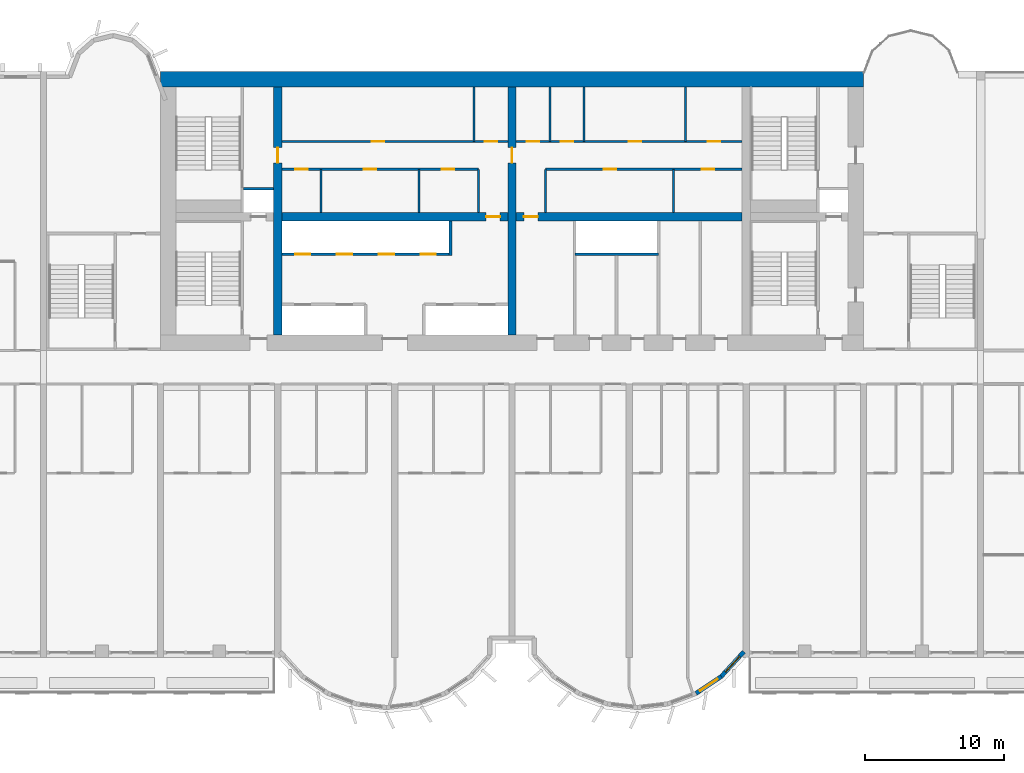
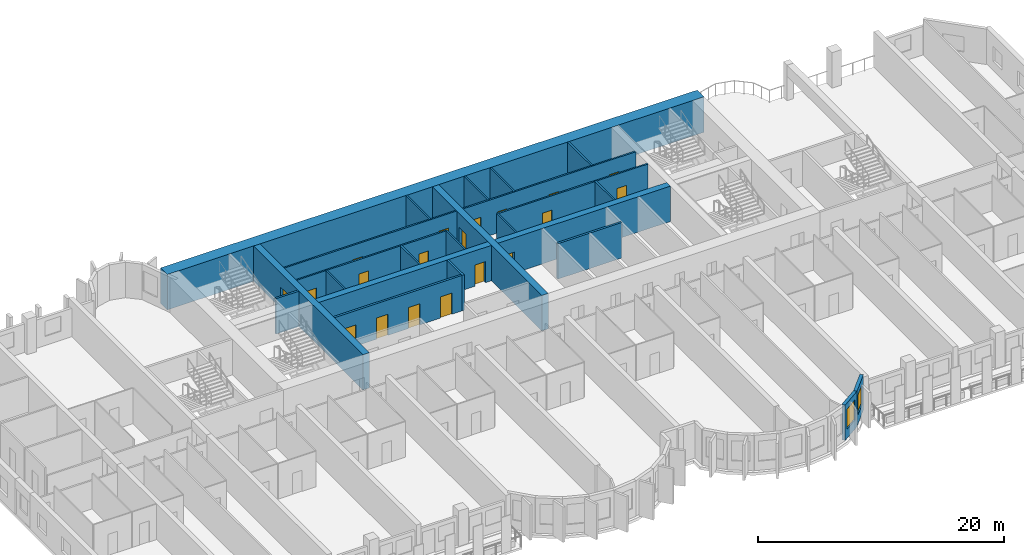
# One storey, part 7 of 14: 24 walls, 19 doors, 2 windows, 21 openings.
"""IFC4 building model written with IfcOpenShell, lengths in metres."""

from ifc_helpers import new_model, si_unit, direction, frame, frame_2d, origin, place, context, subcontext, project, spatial, rectangle, extrude, source, transform, mapped, material, layer, layer_set, type_object, element, fill, save


model = new_model("IFC4")

# Units and contexts
model_context = context("Model", 3, precision=1e-05, world=origin(), true_north=direction((0.0, 1.0)))
body_context = subcontext(model_context, "Body", "Model", "MODEL_VIEW")
ifc_project = project(units=[si_unit("LENGTHUNIT", "METRE"), si_unit("AREAUNIT", "SQUARE_METRE"), si_unit("VOLUMEUNIT", "CUBIC_METRE"), si_unit("PLANEANGLEUNIT", "RADIAN"), si_unit("MASSUNIT", "GRAM", prefix="KILO")], contexts=[model_context])

# Site, building, storey
site_placement = place(None, origin())
site = spatial("IfcSite", under=ifc_project, at=site_placement, CompositionType="ELEMENT")
building_placement = place(site_placement, origin())
building = spatial("IfcBuilding", under=site, at=building_placement, Name="Vanashikhar Sky Hotel", CompositionType="ELEMENT")
storey_placement = place(building_placement, frame((0.0, 0.0, 43.0)))
storey = spatial("IfcBuildingStorey", under=building, at=storey_placement, Name="L09", CompositionType="ELEMENT", Elevation=43.0)

# Wall
ifc_material_1 = material(Name="Concrete M80", Category="concrete")
ifc_layer_1 = layer(ifc_material_1, 1.10009765625)
ifc_layer_set_1 = layer_set([ifc_layer_1], Name="RC core shell wall 1100 Concrete M80")
wall_type_1 = type_object("IfcWallType", Name="RC core shell wall 1100 Concrete M80", PredefinedType="SHEAR", material=ifc_layer_set_1)
shared_shape_1 = source(origin(), body_context, "Body", "SweptSolid", [
    extrude(rectangle(XDim=50.400146484375, YDim=1.10009765625, at=frame_2d((25.2001953125, 0.0))), origin(), (0.0, 0.0, 1.0), 3.52001953125),
])
wall_1_placement = place(storey_placement, frame((25.199951171875, 41.449951171875, 0.0), z_axis=(0.0, 0.0, 1.0), x_axis=(1.0, 0.0, 0.0)))
element("IfcWall", 1, at=wall_1_placement, inside=storey, type_object=wall_type_1, Name="KW-L09-KN", PredefinedType="SHEAR", context=body_context, shape_type="MappedRepresentation", body=[
    mapped(shared_shape_1, transform((0.0, 0.0, 0.0), scale=1.0)),
])

# Wall, opening, door
ifc_layer_2 = layer(ifc_material_1, 0.60009765625)
ifc_layer_set_2 = layer_set([ifc_layer_2], Name="RC core inner wall 600 Concrete M80")
wall_type_2 = type_object("IfcWallType", Name="RC core inner wall 600 Concrete M80", PredefinedType="SHEAR", material=ifc_layer_set_2)
shared_shape_2 = source(origin(), body_context, "Body", "SweptSolid", [
    extrude(rectangle(XDim=17.7998046875, YDim=0.60009765625, at=frame_2d((8.89990234375, 0.0))), origin(), (0.0, 0.0, 1.0), 3.52001953125),
])
wall_2_placement = place(storey_placement, frame((33.60009765625, 23.10009765625, 0.0), z_axis=(0.0, 0.0, 1.0), x_axis=(0.0, 1.0, 0.0)))
wall_2 = element("IfcWall", 2, at=wall_2_placement, inside=storey, type_object=wall_type_2, Name="KW-L09-KX1", PredefinedType="SHEAR", context=body_context, shape_type="MappedRepresentation", body=[
    mapped(shared_shape_2, transform((0.0, 0.0, 0.0), scale=1.0)),
])
shared_shape_3 = source(origin(), body_context, "Body", "SweptSolid", [
    extrude(rectangle(XDim=1.10009765625, YDim=2.10009765625, at=frame_2d((0.550048828125, 1.050048828125))), frame((0.0, 0.31005859375, 0.0), z_axis=(0.0, -1.0, 0.0), x_axis=(1.0, 0.0, 0.0)), (0.0, 0.0, 1.0), 0.6201171875),
])
opening_1_placement = place(wall_2_placement, frame((12.35009765625, 0.0, 0.0)))
opening_1 = element("IfcOpeningElement", 3, at=opening_1_placement, cuts=wall_2, Name="Opening DC-4-C", PredefinedType="OPENING", context=body_context, shape_type="MappedRepresentation", body=[
    mapped(shared_shape_3, transform((0.0, 0.0, 0.0), scale=1.0)),
])
ifc_material_2 = material(Name="Steel", Category="steel")
door_type_1 = type_object("IfcDoorType", Name="Service door 1100 FD60", OperationType="NOTDEFINED", PredefinedType="DOOR", material=ifc_material_2)
shared_shape_4 = source(origin(), body_context, "Body", "SweptSolid", [
    extrude(rectangle(XDim=1.10009765625, YDim=2.10009765625, at=frame_2d((0.550048828125, 1.050048828125))), frame((0.0, 0.02490234375, 0.0), z_axis=(0.0, -1.0, 0.0), x_axis=(1.0, 0.0, 0.0)), (0.0, 0.0, 1.0), 0.050048828125),
])
door_1_placement = place(opening_1_placement, origin())
door_1 = element("IfcDoor", 4, at=door_1_placement, inside=storey, type_object=door_type_1, Name="Service door 1100 FD60", OperationType="SINGLE_SWING_RIGHT", OverallHeight=2.10009765625, OverallWidth=1.10009765625, PredefinedType="DOOR", context=body_context, shape_type="MappedRepresentation", body=[
    mapped(shared_shape_4, transform((0.0, 0.0, 0.0), scale=1.0)),
])
fill(opening_1, door_1)

wall_3_placement = place(storey_placement, frame((50.39990234375, 23.10009765625, 0.0), z_axis=(0.0, 0.0, 1.0), x_axis=(0.0, 1.0, 0.0)))
wall_3 = element("IfcWall", 5, at=wall_3_placement, inside=storey, type_object=wall_type_2, Name="KW-L09-KX2", PredefinedType="SHEAR", context=body_context, shape_type="MappedRepresentation", body=[
    mapped(shared_shape_2, transform((0.0, 0.0, 0.0), scale=1.0)),
])
opening_2_placement = place(wall_3_placement, frame((12.35009765625, 0.0, 0.0)))
opening_2 = element("IfcOpeningElement", 6, at=opening_2_placement, cuts=wall_3, Name="Opening DC-4-C", PredefinedType="OPENING", context=body_context, shape_type="MappedRepresentation", body=[
    mapped(shared_shape_3, transform((0.0, 0.0, 0.0), scale=1.0)),
])
door_2_placement = place(opening_2_placement, origin())
door_2 = element("IfcDoor", 7, at=door_2_placement, inside=storey, type_object=door_type_1, Name="Service door 1100 FD60", OperationType="SINGLE_SWING_LEFT", OverallHeight=2.10009765625, OverallWidth=1.10009765625, PredefinedType="DOOR", context=body_context, shape_type="MappedRepresentation", body=[
    mapped(shared_shape_4, transform((0.0, 0.0, 0.0), scale=1.0)),
])
fill(opening_2, door_2)

shared_shape_5 = source(origin(), body_context, "Body", "SweptSolid", [
    extrude(rectangle(XDim=16.2001953125, YDim=0.60009765625, at=frame_2d((8.10009765625, 0.0))), origin(), (0.0, 0.0, 1.0), 3.52001953125),
])
wall_4_placement = place(storey_placement, frame((33.89990234375, 31.60009765625, 0.0), z_axis=(0.0, 0.0, 1.0), x_axis=(1.0, 0.0, 0.0)))
wall_4 = element("IfcWall", 8, at=wall_4_placement, inside=storey, type_object=wall_type_2, Name="KW-L09-KY2", PredefinedType="SHEAR", context=body_context, shape_type="MappedRepresentation", body=[
    mapped(shared_shape_5, transform((0.0, 0.0, 0.0), scale=1.0)),
])
shared_shape_6 = source(origin(), body_context, "Body", "SweptSolid", [
    extrude(rectangle(XDim=1.0, YDim=2.10009765625, at=frame_2d((0.5, 1.050048828125))), frame((0.0, 0.31005859375, 0.0), z_axis=(0.0, -1.0, 0.0), x_axis=(1.0, 0.0, 0.0)), (0.0, 0.0, 1.0), 0.6201171875),
])
opening_3_placement = place(wall_4_placement, frame((14.64990234375, 0.0, 0.0)))
opening_3 = element("IfcOpeningElement", 9, at=opening_3_placement, cuts=wall_4, Name="Opening DC-4", PredefinedType="OPENING", context=body_context, shape_type="MappedRepresentation", body=[
    mapped(shared_shape_6, transform((0.0, 0.0, 0.0), scale=1.0)),
])
door_type_2 = type_object("IfcDoorType", Name="Service door 1000 FD60", OperationType="NOTDEFINED", PredefinedType="DOOR", material=ifc_material_2)
shared_shape_7 = source(origin(), body_context, "Body", "SweptSolid", [
    extrude(rectangle(XDim=1.0, YDim=2.10009765625, at=frame_2d((0.5, 1.050048828125))), frame((0.0, 0.02490234375, 0.0), z_axis=(0.0, -1.0, 0.0), x_axis=(1.0, 0.0, 0.0)), (0.0, 0.0, 1.0), 0.050048828125),
])
door_3_placement = place(opening_3_placement, origin())
door_3 = element("IfcDoor", 10, at=door_3_placement, inside=storey, type_object=door_type_2, Name="Service door 1000 FD60", OperationType="SINGLE_SWING_RIGHT", OverallHeight=2.10009765625, OverallWidth=1.0, PredefinedType="DOOR", context=body_context, shape_type="MappedRepresentation", body=[
    mapped(shared_shape_7, transform((0.0, 0.0, 0.0), scale=1.0)),
])
fill(opening_3, door_3)

shared_shape_8 = source(origin(), body_context, "Body", "SweptSolid", [
    extrude(rectangle(XDim=16.199951171875, YDim=0.60009765625, at=frame_2d((8.10009765625, 0.0))), origin(), (0.0, 0.0, 1.0), 3.52001953125),
])
wall_5_placement = place(storey_placement, frame((50.699951171875, 31.60009765625, 0.0), z_axis=(0.0, 0.0, 1.0), x_axis=(1.0, 0.0, 0.0)))
wall_5 = element("IfcWall", 11, at=wall_5_placement, inside=storey, type_object=wall_type_2, Name="KW-L09-KY3", PredefinedType="SHEAR", context=body_context, shape_type="MappedRepresentation", body=[
    mapped(shared_shape_8, transform((0.0, 0.0, 0.0), scale=1.0)),
])
opening_4_placement = place(wall_5_placement, frame((0.550048828125, 0.0, 0.0)))
opening_4 = element("IfcOpeningElement", 12, at=opening_4_placement, cuts=wall_5, Name="Opening DC-4", PredefinedType="OPENING", context=body_context, shape_type="MappedRepresentation", body=[
    mapped(shared_shape_6, transform((0.0, 0.0, 0.0), scale=1.0)),
])
door_4_placement = place(opening_4_placement, origin())
door_4 = element("IfcDoor", 13, at=door_4_placement, inside=storey, type_object=door_type_2, Name="Service door 1000 FD60", OperationType="SINGLE_SWING_LEFT", OverallHeight=2.10009765625, OverallWidth=1.0, PredefinedType="DOOR", context=body_context, shape_type="MappedRepresentation", body=[
    mapped(shared_shape_7, transform((0.0, 0.0, 0.0), scale=1.0)),
])
fill(opening_4, door_4)

# Wall, opening, window
ifc_material_3 = material(Name="Concrete M50", Category="concrete")
ifc_layer_3 = layer(ifc_material_3, 0.300048828125)
ifc_layer_set_3 = layer_set([ifc_layer_3], Name="Lobe wall 300")
wall_type_3 = type_object("IfcWallType", Name="Lobe wall 300", PredefinedType="SOLIDWALL", material=ifc_layer_set_3)
shared_shape_9 = source(origin(), body_context, "Body", "SweptSolid", [
    extrude(rectangle(XDim=2.398193359375, YDim=0.300048828125, at=frame_2d((1.19921875, 0.0))), origin(), (0.0, 0.0, 1.0), 3.52001953125),
])
wall_6_placement = place(storey_placement, frame((65.404296875, -1.36865234375, 0.0), z_axis=(0.0, 0.0, 1.0), x_axis=(0.675374189419, 0.737475222815, 0.0)))
wall_6 = element("IfcWall", 14, at=wall_6_placement, inside=storey, type_object=wall_type_3, Name="Lobe wall", PredefinedType="SOLIDWALL", context=body_context, shape_type="MappedRepresentation", body=[
    mapped(shared_shape_9, transform((0.0, 0.0, 0.0), scale=1.0)),
])
shared_shape_10 = source(origin(), body_context, "Body", "SweptSolid", [
    extrude(rectangle(XDim=1.5, YDim=2.0, at=frame_2d((0.75, 1.0))), frame((0.0, 0.16015625, 0.0), z_axis=(0.0, -1.0, 0.0), x_axis=(1.0, 0.0, 0.0)), (0.0, 0.0, 1.0), 0.320068359375),
])
opening_5_placement = place(wall_6_placement, frame((0.44921875, 0.0, 0.89990234375)))
opening_5 = element("IfcOpeningElement", 15, at=opening_5_placement, cuts=wall_6, Name="Opening WN-2", PredefinedType="OPENING", context=body_context, shape_type="MappedRepresentation", body=[
    mapped(shared_shape_10, transform((0.0, 0.0, 0.0), scale=1.0)),
])
ifc_material_4 = material(Name="Glass", Category="glass")
window_type = type_object("IfcWindowType", Name="Lobe window 1500 x 2000", PartitioningType="SINGLE_PANEL", PredefinedType="WINDOW", material=ifc_material_4)
shared_shape_11 = source(origin(), body_context, "Body", "SweptSolid", [
    extrude(rectangle(XDim=1.5, YDim=2.0, at=frame_2d((0.75, 1.0))), frame((0.0, 0.030029296875, 0.0), z_axis=(0.0, -1.0, 0.0), x_axis=(1.0, 0.0, 0.0)), (0.0, 0.0, 1.0), 0.06005859375),
])
window_1_placement = place(opening_5_placement, origin())
window_1 = element("IfcWindow", 16, at=window_1_placement, inside=storey, type_object=window_type, Name="Window WN-2", OverallHeight=2.0, OverallWidth=1.5, PartitioningType="SINGLE_PANEL", PredefinedType="WINDOW", context=body_context, shape_type="MappedRepresentation", body=[
    mapped(shared_shape_11, transform((0.0, 0.0, 0.0), scale=1.0)),
])
fill(opening_5, window_1)

shared_shape_12 = source(origin(), body_context, "Body", "SweptSolid", [
    extrude(rectangle(XDim=2.17578125, YDim=0.300048828125, at=frame_2d((1.087890625, 0.0))), origin(), (0.0, 0.0, 1.0), 3.52001953125),
])
wall_7_placement = place(storey_placement, frame((63.59912109375, -2.58349609375, 0.0), z_axis=(0.0, 0.0, 1.0), x_axis=(0.829625727223, 0.558319937607, 0.0)))
wall_7 = element("IfcWall", 17, at=wall_7_placement, inside=storey, type_object=wall_type_3, Name="Lobe wall", PredefinedType="SOLIDWALL", context=body_context, shape_type="MappedRepresentation", body=[
    mapped(shared_shape_12, transform((0.0, 0.0, 0.0), scale=1.0)),
])
opening_6_placement = place(wall_7_placement, frame((0.337890625, 0.0, 0.89990234375)))
opening_6 = element("IfcOpeningElement", 18, at=opening_6_placement, cuts=wall_7, Name="Opening WN-2", PredefinedType="OPENING", context=body_context, shape_type="MappedRepresentation", body=[
    mapped(shared_shape_10, transform((0.0, 0.0, 0.0), scale=1.0)),
])
window_2_placement = place(opening_6_placement, origin())
window_2 = element("IfcWindow", 19, at=window_2_placement, inside=storey, type_object=window_type, Name="Window WN-2", OverallHeight=2.0, OverallWidth=1.5, PartitioningType="SINGLE_PANEL", PredefinedType="WINDOW", context=body_context, shape_type="MappedRepresentation", body=[
    mapped(shared_shape_11, transform((0.0, 0.0, 0.0), scale=1.0)),
])
fill(opening_6, window_2)

# Wall
ifc_material_5 = material(Name="Concrete M40", Category="concrete")
ifc_layer_4 = layer(ifc_material_5, 0.199951171875)
ifc_layer_set_4 = layer_set([ifc_layer_4], Name="Shaft wall 200")
wall_type_4 = type_object("IfcWallType", Name="Shaft wall 200", PredefinedType="SOLIDWALL", material=ifc_layer_set_4)
shared_shape_13 = source(origin(), body_context, "Body", "SweptSolid", [
    extrude(rectangle(XDim=6.0, YDim=0.199951171875, at=frame_2d((3.0, 0.0))), origin(), (0.0, 0.0, 1.0), 3.52001953125),
])
wall_8_placement = place(storey_placement, frame((60.89990234375, 28.89990234375, 0.0), z_axis=(0.0, 0.0, 1.0), x_axis=(-1.0, 0.0, 0.0)))
element("IfcWall", 20, at=wall_8_placement, inside=storey, type_object=wall_type_4, Name="Shaft wall 200", PredefinedType="SOLIDWALL", context=body_context, shape_type="MappedRepresentation", body=[
    mapped(shared_shape_13, transform((0.0, 0.0, 0.0), scale=1.0)),
])

# Wall, openings, doors
shared_shape_14 = source(origin(), body_context, "Body", "SweptSolid", [
    extrude(rectangle(XDim=12.0, YDim=0.199951171875, at=frame_2d((6.0, 0.0))), origin(), (0.0, 0.0, 1.0), 3.52001953125),
])
wall_9_placement = place(storey_placement, frame((33.89990234375, 28.89990234375, 0.0), z_axis=(0.0, 0.0, 1.0), x_axis=(1.0, 0.0, 0.0)))
wall_9 = element("IfcWall", 21, at=wall_9_placement, inside=storey, type_object=wall_type_4, Name="Shaft wall 200", PredefinedType="SOLIDWALL", context=body_context, shape_type="MappedRepresentation", body=[
    mapped(shared_shape_14, transform((0.0, 0.0, 0.0), scale=1.0)),
])
shared_shape_15 = source(origin(), body_context, "Body", "SweptSolid", [
    extrude(rectangle(XDim=1.10009765625, YDim=2.10009765625, at=frame_2d((0.550048828125, 1.050048828125))), frame((0.0, 0.10986328125, 0.0), z_axis=(0.0, -1.0, 0.0), x_axis=(1.0, 0.0, 0.0)), (0.0, 0.0, 1.0), 0.219970703125),
])
opening_7_placement = place(wall_9_placement, frame((0.949951171875, 0.0, 0.0)))
opening_7 = element("IfcOpeningElement", 22, at=opening_7_placement, cuts=wall_9, Name="Opening LD", PredefinedType="OPENING", context=body_context, shape_type="MappedRepresentation", body=[
    mapped(shared_shape_15, transform((0.0, 0.0, 0.0), scale=1.0)),
])
opening_8_placement = place(wall_9_placement, frame((3.949951171875, 0.0, 0.0)))
opening_8 = element("IfcOpeningElement", 23, at=opening_8_placement, cuts=wall_9, Name="Opening LD", PredefinedType="OPENING", context=body_context, shape_type="MappedRepresentation", body=[
    mapped(shared_shape_15, transform((0.0, 0.0, 0.0), scale=1.0)),
])
opening_9_placement = place(wall_9_placement, frame((6.949951171875, 0.0, 0.0)))
opening_9 = element("IfcOpeningElement", 24, at=opening_9_placement, cuts=wall_9, Name="Opening LD", PredefinedType="OPENING", context=body_context, shape_type="MappedRepresentation", body=[
    mapped(shared_shape_15, transform((0.0, 0.0, 0.0), scale=1.0)),
])
opening_10_placement = place(wall_9_placement, frame((9.949951171875, 0.0, 0.0)))
opening_10 = element("IfcOpeningElement", 25, at=opening_10_placement, cuts=wall_9, Name="Opening LD", PredefinedType="OPENING", context=body_context, shape_type="MappedRepresentation", body=[
    mapped(shared_shape_15, transform((0.0, 0.0, 0.0), scale=1.0)),
])
ifc_material_6 = material(Name="Stainless steel", Category="steel")
door_type_3 = type_object("IfcDoorType", Name="Lift landing door 1100", OperationType="NOTDEFINED", PredefinedType="DOOR", material=ifc_material_6)
door_5_placement = place(opening_7_placement, origin())
door_5 = element("IfcDoor", 26, at=door_5_placement, inside=storey, type_object=door_type_3, Name="Lift landing door 1100", OperationType="SLIDING_TO_LEFT", OverallHeight=2.10009765625, OverallWidth=1.10009765625, PredefinedType="DOOR", context=body_context, shape_type="MappedRepresentation", body=[
    mapped(shared_shape_4, transform((0.0, 0.0, 0.0), scale=1.0)),
])
fill(opening_7, door_5)
door_6_placement = place(opening_8_placement, origin())
door_6 = element("IfcDoor", 27, at=door_6_placement, inside=storey, type_object=door_type_3, Name="Lift landing door 1100", OperationType="SLIDING_TO_RIGHT", OverallHeight=2.10009765625, OverallWidth=1.10009765625, PredefinedType="DOOR", context=body_context, shape_type="MappedRepresentation", body=[
    mapped(shared_shape_4, transform((0.0, 0.0, 0.0), scale=1.0)),
])
fill(opening_8, door_6)
door_7_placement = place(opening_9_placement, origin())
door_7 = element("IfcDoor", 28, at=door_7_placement, inside=storey, type_object=door_type_3, Name="Lift landing door 1100", OperationType="SLIDING_TO_LEFT", OverallHeight=2.10009765625, OverallWidth=1.10009765625, PredefinedType="DOOR", context=body_context, shape_type="MappedRepresentation", body=[
    mapped(shared_shape_4, transform((0.0, 0.0, 0.0), scale=1.0)),
])
fill(opening_9, door_7)
door_8_placement = place(opening_10_placement, origin())
door_8 = element("IfcDoor", 29, at=door_8_placement, inside=storey, type_object=door_type_3, Name="Lift landing door 1100", OperationType="SLIDING_TO_RIGHT", OverallHeight=2.10009765625, OverallWidth=1.10009765625, PredefinedType="DOOR", context=body_context, shape_type="MappedRepresentation", body=[
    mapped(shared_shape_4, transform((0.0, 0.0, 0.0), scale=1.0)),
])
fill(opening_10, door_8)

# Walls
shared_shape_16 = source(origin(), body_context, "Body", "SweptSolid", [
    extrude(rectangle(XDim=2.5, YDim=0.199951171875, at=frame_2d((1.25, 0.0))), origin(), (0.0, 0.0, 1.0), 3.52001953125),
])
wall_10_placement = place(storey_placement, frame((46.0, 28.800048828125, 0.0), z_axis=(0.0, 0.0, 1.0), x_axis=(0.0, 1.0, 0.0)))
element("IfcWall", 30, at=wall_10_placement, inside=storey, type_object=wall_type_4, Name="Shaft wall 200", PredefinedType="SOLIDWALL", context=body_context, shape_type="MappedRepresentation", body=[
    mapped(shared_shape_16, transform((0.0, 0.0, 0.0), scale=1.0)),
])
ifc_material_7 = material(Name="Gypsum board partition")
ifc_layer_5 = layer(ifc_material_7, 0.14990234375)
ifc_layer_set_5 = layer_set([ifc_layer_5], Name="Service partition 150")
wall_type_5 = type_object("IfcWallType", Name="Service partition 150", PredefinedType="PARTITIONING", material=ifc_layer_set_5)
shared_shape_17 = source(origin(), body_context, "Body", "SweptSolid", [
    extrude(rectangle(XDim=3.10009765625, YDim=0.14990234375, at=frame_2d((1.550048828125, 0.0))), origin(), (0.0, 0.0, 1.0), 3.52001953125),
])
for number, where, z_axis, x_axis, name in (
    (31, (48.0, 31.89990234375, 0.0), (0.0, 0.0, 1.0), (0.0, 1.0, 0.0), "Service partition 150"),
    (32, (36.705078125, 31.89990234375, 0.0), (0.0, 0.0, 1.0), (0.0, 1.0, 0.0), "Service partition 150"),
    (33, (43.718017578125, 31.89990234375, 0.0), (0.0, 0.0, 1.0), (0.0, 1.0, 0.0), "Service partition 150"),
    (34, (52.800048828125, 31.89990234375, 0.0), (0.0, 0.0, 1.0), (0.0, 1.0, 0.0), "Service partition 150"),
    (35, (61.990966796875, 31.89990234375, 0.0), (0.0, 0.0, 1.0), (0.0, 1.0, 0.0), "Service partition 150"),
):
    element("IfcWall", number, at=place(storey_placement, frame(where, z_axis=z_axis, x_axis=x_axis)), inside=storey, type_object=wall_type_5, Name=name, PredefinedType="PARTITIONING", context=body_context, shape_type="MappedRepresentation", body=[
        mapped(shared_shape_17, transform((0.0, 0.0, 0.0), scale=1.0)),
    ])

# Wall, openings, doors
shared_shape_18 = source(origin(), body_context, "Body", "SweptSolid", [
    extrude(rectangle(XDim=14.10009765625, YDim=0.14990234375, at=frame_2d((7.050048828125, 0.0))), origin(), (0.0, 0.0, 1.0), 3.52001953125),
])
wall_11_placement = place(storey_placement, frame((33.89990234375, 35.0, 0.0), z_axis=(0.0, 0.0, 1.0), x_axis=(1.0, 0.0, 0.0)))
wall_11 = element("IfcWall", 36, at=wall_11_placement, inside=storey, type_object=wall_type_5, Name="Service partition 150", PredefinedType="PARTITIONING", context=body_context, shape_type="MappedRepresentation", body=[
    mapped(shared_shape_18, transform((0.0, 0.0, 0.0), scale=1.0)),
])
shared_shape_19 = source(origin(), body_context, "Body", "SweptSolid", [
    extrude(rectangle(XDim=0.89990234375, YDim=2.10009765625, at=frame_2d((0.449951171875, 1.050048828125))), frame((0.0, 0.0849609375, 0.0), z_axis=(0.0, -1.0, 0.0), x_axis=(1.0, 0.0, 0.0)), (0.0, 0.0, 1.0), 0.169921875),
])
opening_11_placement = place(wall_11_placement, frame((0.951904296875, 0.0, 0.0)))
opening_11 = element("IfcOpeningElement", 37, at=opening_11_placement, cuts=wall_11, Name="Opening DC-4-A", PredefinedType="OPENING", context=body_context, shape_type="MappedRepresentation", body=[
    mapped(shared_shape_19, transform((0.0, 0.0, 0.0), scale=1.0)),
])
opening_12_placement = place(wall_11_placement, frame((5.861083984375, 0.0, 0.0)))
opening_12 = element("IfcOpeningElement", 38, at=opening_12_placement, cuts=wall_11, Name="Opening DC-4-A", PredefinedType="OPENING", context=body_context, shape_type="MappedRepresentation", body=[
    mapped(shared_shape_19, transform((0.0, 0.0, 0.0), scale=1.0)),
])
opening_13_placement = place(wall_11_placement, frame((11.470947265625, 0.0, 0.0)))
opening_13 = element("IfcOpeningElement", 39, at=opening_13_placement, cuts=wall_11, Name="Opening DC-4-A", PredefinedType="OPENING", context=body_context, shape_type="MappedRepresentation", body=[
    mapped(shared_shape_19, transform((0.0, 0.0, 0.0), scale=1.0)),
])
door_type_4 = type_object("IfcDoorType", Name="Service door 900 FD60", OperationType="NOTDEFINED", PredefinedType="DOOR", material=ifc_material_2)
shared_shape_20 = source(origin(), body_context, "Body", "SweptSolid", [
    extrude(rectangle(XDim=0.89990234375, YDim=2.10009765625, at=frame_2d((0.449951171875, 1.050048828125))), frame((0.0, 0.02490234375, 0.0), z_axis=(0.0, -1.0, 0.0), x_axis=(1.0, 0.0, 0.0)), (0.0, 0.0, 1.0), 0.050048828125),
])
door_9_placement = place(opening_11_placement, origin())
door_9 = element("IfcDoor", 40, at=door_9_placement, inside=storey, type_object=door_type_4, Name="Service door 900 FD60", OperationType="SINGLE_SWING_RIGHT", OverallHeight=2.10009765625, OverallWidth=0.89990234375, PredefinedType="DOOR", context=body_context, shape_type="MappedRepresentation", body=[
    mapped(shared_shape_20, transform((0.0, 0.0, 0.0), scale=1.0)),
])
fill(opening_11, door_9)
door_10_placement = place(opening_12_placement, origin())
door_10 = element("IfcDoor", 41, at=door_10_placement, inside=storey, type_object=door_type_4, Name="Service door 900 FD60", OperationType="SINGLE_SWING_RIGHT", OverallHeight=2.10009765625, OverallWidth=0.89990234375, PredefinedType="DOOR", context=body_context, shape_type="MappedRepresentation", body=[
    mapped(shared_shape_20, transform((0.0, 0.0, 0.0), scale=1.0)),
])
fill(opening_12, door_10)
door_11_placement = place(opening_13_placement, origin())
door_11 = element("IfcDoor", 42, at=door_11_placement, inside=storey, type_object=door_type_4, Name="Service door 900 FD60", OperationType="SINGLE_SWING_LEFT", OverallHeight=2.10009765625, OverallWidth=0.89990234375, PredefinedType="DOOR", context=body_context, shape_type="MappedRepresentation", body=[
    mapped(shared_shape_20, transform((0.0, 0.0, 0.0), scale=1.0)),
])
fill(opening_13, door_11)

shared_shape_21 = source(origin(), body_context, "Body", "SweptSolid", [
    extrude(rectangle(XDim=16.2001953125, YDim=0.14990234375, at=frame_2d((8.10009765625, 0.0))), origin(), (0.0, 0.0, 1.0), 3.52001953125),
])
wall_12_placement = place(storey_placement, frame((33.89990234375, 37.0, 0.0), z_axis=(0.0, 0.0, 1.0), x_axis=(1.0, 0.0, 0.0)))
wall_12 = element("IfcWall", 43, at=wall_12_placement, inside=storey, type_object=wall_type_5, Name="Service partition 150", PredefinedType="PARTITIONING", context=body_context, shape_type="MappedRepresentation", body=[
    mapped(shared_shape_21, transform((0.0, 0.0, 0.0), scale=1.0)),
])
opening_14_placement = place(wall_12_placement, frame((6.43505859375, 0.0, 0.0)))
opening_14 = element("IfcOpeningElement", 44, at=opening_14_placement, cuts=wall_12, Name="Opening DC-4-A", PredefinedType="OPENING", context=body_context, shape_type="MappedRepresentation", body=[
    mapped(shared_shape_19, transform((0.0, 0.0, 0.0), scale=1.0)),
])
opening_15_placement = place(wall_12_placement, frame((14.534912109375, 0.0, 0.0)))
opening_15 = element("IfcOpeningElement", 45, at=opening_15_placement, cuts=wall_12, Name="Opening DC-4-A", PredefinedType="OPENING", context=body_context, shape_type="MappedRepresentation", body=[
    mapped(shared_shape_19, transform((0.0, 0.0, 0.0), scale=1.0)),
])
door_12_placement = place(opening_14_placement, origin())
door_12 = element("IfcDoor", 46, at=door_12_placement, inside=storey, type_object=door_type_4, Name="Service door 900 FD60", OperationType="SINGLE_SWING_RIGHT", OverallHeight=2.10009765625, OverallWidth=0.89990234375, PredefinedType="DOOR", context=body_context, shape_type="MappedRepresentation", body=[
    mapped(shared_shape_20, transform((0.0, 0.0, 0.0), scale=1.0)),
])
fill(opening_14, door_12)
door_13_placement = place(opening_15_placement, origin())
door_13 = element("IfcDoor", 47, at=door_13_placement, inside=storey, type_object=door_type_4, Name="Service door 900 FD60", OperationType="SINGLE_SWING_RIGHT", OverallHeight=2.10009765625, OverallWidth=0.89990234375, PredefinedType="DOOR", context=body_context, shape_type="MappedRepresentation", body=[
    mapped(shared_shape_20, transform((0.0, 0.0, 0.0), scale=1.0)),
])
fill(opening_15, door_13)

# Walls
shared_shape_22 = source(origin(), body_context, "Body", "SweptSolid", [
    extrude(rectangle(XDim=3.89990234375, YDim=0.14990234375, at=frame_2d((1.949951171875, 0.0))), origin(), (0.0, 0.0, 1.0), 3.52001953125),
])
for number, where, z_axis, x_axis, name in (
    (48, (47.669921875, 37.0, 0.0), (0.0, 0.0, 1.0), (0.0, 1.0, 0.0), "Service partition 150"),
    (49, (62.85009765625, 37.0, 0.0), (0.0, 0.0, 1.0), (0.0, 1.0, 0.0), "Service partition 150"),
    (50, (55.56005859375, 37.0, 0.0), (0.0, 0.0, 1.0), (0.0, 1.0, 0.0), "Service partition 150"),
    (51, (53.1298828125, 37.0, 0.0), (0.0, 0.0, 1.0), (0.0, 1.0, 0.0), "Service partition 150"),
):
    element("IfcWall", number, at=place(storey_placement, frame(where, z_axis=z_axis, x_axis=x_axis)), inside=storey, type_object=wall_type_5, Name=name, PredefinedType="PARTITIONING", context=body_context, shape_type="MappedRepresentation", body=[
        mapped(shared_shape_22, transform((0.0, 0.0, 0.0), scale=1.0)),
    ])

# Wall, openings, doors
shared_shape_23 = source(origin(), body_context, "Body", "SweptSolid", [
    extrude(rectangle(XDim=14.099853515625, YDim=0.14990234375, at=frame_2d((7.0498046875, 0.0))), origin(), (0.0, 0.0, 1.0), 3.52001953125),
])
wall_13_placement = place(storey_placement, frame((66.89990234375, 35.0, 0.0), z_axis=(0.0, 0.0, 1.0), x_axis=(-1.0, 0.0, 0.0)))
wall_13 = element("IfcWall", 52, at=wall_13_placement, inside=storey, type_object=wall_type_5, Name="Service partition 150", PredefinedType="PARTITIONING", context=body_context, shape_type="MappedRepresentation", body=[
    mapped(shared_shape_23, transform((0.0, 0.0, 0.0), scale=1.0)),
])
opening_16_placement = place(wall_13_placement, frame((2.00390625, 0.0, 0.0)))
opening_16 = element("IfcOpeningElement", 53, at=opening_16_placement, cuts=wall_13, Name="Opening DC-4-A", PredefinedType="OPENING", context=body_context, shape_type="MappedRepresentation", body=[
    mapped(shared_shape_19, transform((0.0, 0.0, 0.0), scale=1.0)),
])
opening_17_placement = place(wall_13_placement, frame((9.01708984375, 0.0, 0.0)))
opening_17 = element("IfcOpeningElement", 54, at=opening_17_placement, cuts=wall_13, Name="Opening DC-4-A", PredefinedType="OPENING", context=body_context, shape_type="MappedRepresentation", body=[
    mapped(shared_shape_19, transform((0.0, 0.0, 0.0), scale=1.0)),
])
door_14_placement = place(opening_16_placement, origin())
door_14 = element("IfcDoor", 55, at=door_14_placement, inside=storey, type_object=door_type_4, Name="Service door 900 FD60", OperationType="SINGLE_SWING_RIGHT", OverallHeight=2.10009765625, OverallWidth=0.89990234375, PredefinedType="DOOR", context=body_context, shape_type="MappedRepresentation", body=[
    mapped(shared_shape_20, transform((0.0, 0.0, 0.0), scale=1.0)),
])
fill(opening_16, door_14)
door_15_placement = place(opening_17_placement, origin())
door_15 = element("IfcDoor", 56, at=door_15_placement, inside=storey, type_object=door_type_4, Name="Service door 900 FD60", OperationType="SINGLE_SWING_LEFT", OverallHeight=2.10009765625, OverallWidth=0.89990234375, PredefinedType="DOOR", context=body_context, shape_type="MappedRepresentation", body=[
    mapped(shared_shape_20, transform((0.0, 0.0, 0.0), scale=1.0)),
])
fill(opening_17, door_15)

shared_shape_24 = source(origin(), body_context, "Body", "SweptSolid", [
    extrude(rectangle(XDim=16.199951171875, YDim=0.14990234375, at=frame_2d((8.10009765625, 0.0))), origin(), (0.0, 0.0, 1.0), 3.52001953125),
])
wall_14_placement = place(storey_placement, frame((66.89990234375, 37.0, 0.0), z_axis=(0.0, 0.0, 1.0), x_axis=(-1.0, 0.0, 0.0)))
wall_14 = element("IfcWall", 57, at=wall_14_placement, inside=storey, type_object=wall_type_5, Name="Service partition 150", PredefinedType="PARTITIONING", context=body_context, shape_type="MappedRepresentation", body=[
    mapped(shared_shape_24, transform((0.0, 0.0, 0.0), scale=1.0)),
])
opening_18_placement = place(wall_14_placement, frame((1.574951171875, 0.0, 0.0)))
opening_18 = element("IfcOpeningElement", 58, at=opening_18_placement, cuts=wall_14, Name="Opening DC-4-A", PredefinedType="OPENING", context=body_context, shape_type="MappedRepresentation", body=[
    mapped(shared_shape_19, transform((0.0, 0.0, 0.0), scale=1.0)),
])
opening_19_placement = place(wall_14_placement, frame((7.2451171875, 0.0, 0.0)))
opening_19 = element("IfcOpeningElement", 59, at=opening_19_placement, cuts=wall_14, Name="Opening DC-4-A", PredefinedType="OPENING", context=body_context, shape_type="MappedRepresentation", body=[
    mapped(shared_shape_19, transform((0.0, 0.0, 0.0), scale=1.0)),
])
opening_20_placement = place(wall_14_placement, frame((12.10498046875, 0.0, 0.0)))
opening_20 = element("IfcOpeningElement", 60, at=opening_20_placement, cuts=wall_14, Name="Opening DC-4-A", PredefinedType="OPENING", context=body_context, shape_type="MappedRepresentation", body=[
    mapped(shared_shape_19, transform((0.0, 0.0, 0.0), scale=1.0)),
])
opening_21_placement = place(wall_14_placement, frame((14.534912109375, 0.0, 0.0)))
opening_21 = element("IfcOpeningElement", 61, at=opening_21_placement, cuts=wall_14, Name="Opening DC-4-A", PredefinedType="OPENING", context=body_context, shape_type="MappedRepresentation", body=[
    mapped(shared_shape_19, transform((0.0, 0.0, 0.0), scale=1.0)),
])
door_16_placement = place(opening_18_placement, origin())
door_16 = element("IfcDoor", 62, at=door_16_placement, inside=storey, type_object=door_type_4, Name="Service door 900 FD60", OperationType="SINGLE_SWING_LEFT", OverallHeight=2.10009765625, OverallWidth=0.89990234375, PredefinedType="DOOR", context=body_context, shape_type="MappedRepresentation", body=[
    mapped(shared_shape_20, transform((0.0, 0.0, 0.0), scale=1.0)),
])
fill(opening_18, door_16)
door_17_placement = place(opening_19_placement, origin())
door_17 = element("IfcDoor", 63, at=door_17_placement, inside=storey, type_object=door_type_4, Name="Service door 900 FD60", OperationType="SINGLE_SWING_LEFT", OverallHeight=2.10009765625, OverallWidth=0.89990234375, PredefinedType="DOOR", context=body_context, shape_type="MappedRepresentation", body=[
    mapped(shared_shape_20, transform((0.0, 0.0, 0.0), scale=1.0)),
])
fill(opening_19, door_17)
door_18_placement = place(opening_20_placement, origin())
door_18 = element("IfcDoor", 64, at=door_18_placement, inside=storey, type_object=door_type_4, Name="Service door 900 FD60", OperationType="SINGLE_SWING_LEFT", OverallHeight=2.10009765625, OverallWidth=0.89990234375, PredefinedType="DOOR", context=body_context, shape_type="MappedRepresentation", body=[
    mapped(shared_shape_20, transform((0.0, 0.0, 0.0), scale=1.0)),
])
fill(opening_20, door_18)
door_19_placement = place(opening_21_placement, origin())
door_19 = element("IfcDoor", 65, at=door_19_placement, inside=storey, type_object=door_type_4, Name="Service door 900 FD60", OperationType="SINGLE_SWING_RIGHT", OverallHeight=2.10009765625, OverallWidth=0.89990234375, PredefinedType="DOOR", context=body_context, shape_type="MappedRepresentation", body=[
    mapped(shared_shape_20, transform((0.0, 0.0, 0.0), scale=1.0)),
])
fill(opening_21, door_19)

# Wall
shared_shape_25 = source(origin(), body_context, "Body", "SweptSolid", [
    extrude(rectangle(XDim=2.150146484375, YDim=0.199951171875, at=frame_2d((1.0751953125, 0.0))), origin(), (0.0, 0.0, 1.0), 3.52001953125),
])
wall_15_placement = place(storey_placement, frame((31.14990234375, 33.60009765625, 0.0), z_axis=(0.0, 0.0, 1.0), x_axis=(1.0, 0.0, 0.0)))
element("IfcWall", 66, at=wall_15_placement, inside=storey, type_object=wall_type_4, Name="Shaft wall 200", PredefinedType="SOLIDWALL", context=body_context, shape_type="MappedRepresentation", body=[
    mapped(shared_shape_25, transform((0.0, 0.0, 0.0), scale=1.0)),
])

save(model, "model.ifc")
